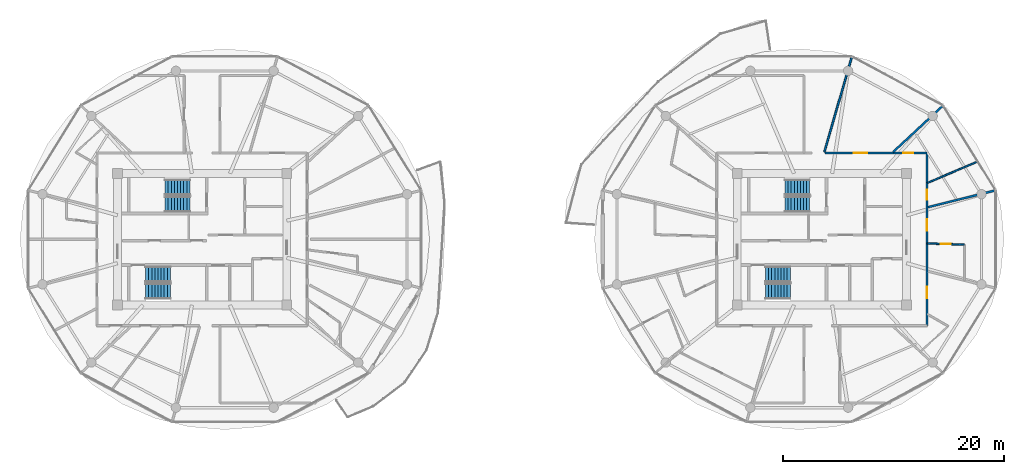
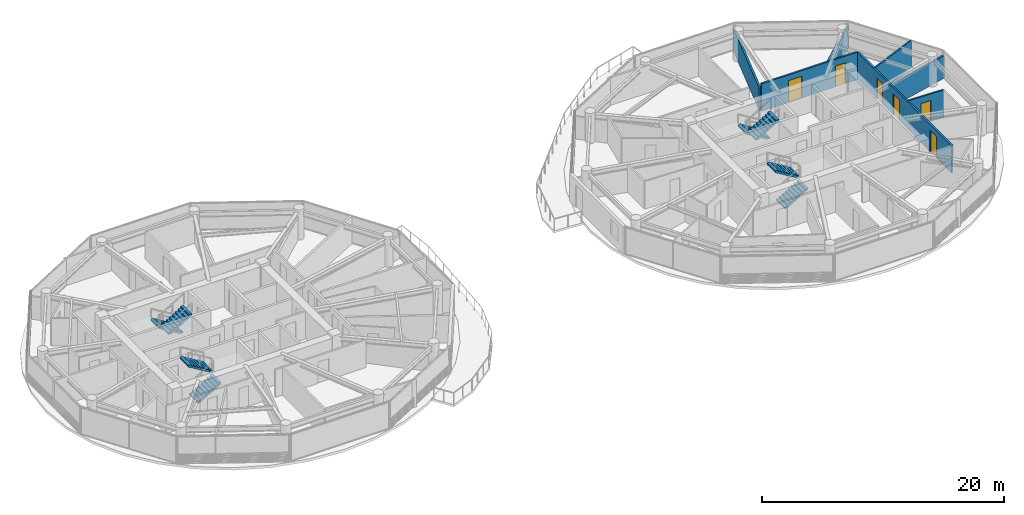
# One storey, part 18 of 22: 8 stair flights, 7 walls, 6 doors, 6 openings, 4 elements without a shape of their own.
"""IFC4 building model written with IfcOpenShell, lengths in metres."""

from ifc_helpers import new_model, si_unit, direction, frame, frame_2d, origin, place, context, subcontext, project, spatial, polyline, rectangle, outline, extrude, source, transform, mapped, material, layer, layer_set, type_object, type_shapes, element, fill, aggregate, save


model = new_model("IFC4")

# Units and contexts
model_context = context("Model", 3, precision=1e-05, world=origin(), true_north=direction((0.0, 1.0)))
body_context = subcontext(model_context, "Body", "Model", "MODEL_VIEW")
ifc_project = project(units=[si_unit("LENGTHUNIT", "METRE"), si_unit("AREAUNIT", "SQUARE_METRE"), si_unit("VOLUMEUNIT", "CUBIC_METRE"), si_unit("PLANEANGLEUNIT", "RADIAN"), si_unit("MASSUNIT", "GRAM", prefix="KILO")], contexts=[model_context])

# Site, building, storey
site_placement = place(None, origin())
site = spatial("IfcSite", under=ifc_project, at=site_placement, CompositionType="ELEMENT")
building_placement = place(site_placement, origin())
building = spatial("IfcBuilding", under=site, at=building_placement, Name="Norrkilde Senior Care Towers", CompositionType="ELEMENT")
storey_placement = place(building_placement, frame((0.0, 0.0, 120.64990234375)))
storey = spatial("IfcBuildingStorey", under=building, at=storey_placement, Name="L37", CompositionType="ELEMENT", Elevation=120.64990234375)

# Wall, openings, doors
ifc_material_1 = material(Name="Gypsum Acoustic Board")
ifc_layer_1 = layer(ifc_material_1, 0.1650390625)
ifc_layer_set_1 = layer_set([ifc_layer_1], Name="Gypsum Acoustic Board")
wall_type_1 = type_object("IfcWallType", Name="Corridor Rated Partition 165", PredefinedType="PARTITIONING", material=ifc_layer_set_1)
shared_shape_1 = source(origin(), body_context, "Body", "SweptSolid", [
    extrude(rectangle(XDim=15.60009765625, YDim=0.1650390625, at=frame_2d((7.800048828125, 0.0))), origin(), (0.0, 0.0, 1.0), 2.775146484375),
])
wall_1_placement = place(storey_placement, frame((37.5, 7.800048828125, 0.0), z_axis=(0.0, 0.0, 1.0), x_axis=(0.0, -1.0, 0.0)))
wall_1 = element("IfcWall", 1, at=wall_1_placement, inside=storey, type_object=wall_type_1, Name="WL-INT-L37-E-CRW-E-0", PredefinedType="PARTITIONING", context=body_context, shape_type="MappedRepresentation", body=[
    mapped(shared_shape_1, transform((0.0, 0.0, 0.0), x_axis=(1.0, 0.0, 0.0), y_axis=(0.0, 1.0, 0.0), z_axis=(0.0, 0.0, 1.0), scale=1.0)),
])
opening_1_placement = place(wall_1_placement, frame((12.09423828125, 0.0, 0.0)))
opening_1 = element("IfcOpeningElement", 2, at=opening_1_placement, cuts=wall_1, Name="Opening D-06", PredefinedType="OPENING", context=body_context, shape_type="SweptSolid", body=[
    extrude(rectangle(XDim=1.050048828125, YDim=2.14990234375, at=frame_2d((0.52490234375, 1.074951171875))), frame((0.0, 0.092529296875, 0.0), z_axis=(0.0, -1.0, 0.0), x_axis=(1.0, 0.0, 0.0)), (0.0, 0.0, 1.0), 0.18505859375),
])
opening_2_placement = place(wall_1_placement, frame((5.971435546875, 0.0, 0.0)))
opening_2 = element("IfcOpeningElement", 3, at=opening_2_placement, cuts=wall_1, Name="Opening D-06", PredefinedType="OPENING", context=body_context, shape_type="SweptSolid", body=[
    extrude(rectangle(XDim=1.050048828125, YDim=2.14990234375, at=frame_2d((0.52490234375, 1.074951171875))), frame((0.0, 0.092529296875, 0.0), z_axis=(0.0, -1.0, 0.0), x_axis=(1.0, 0.0, 0.0)), (0.0, 0.0, 1.0), 0.18505859375),
])
opening_3_placement = place(wall_1_placement, frame((3.32373046875, 0.0, 0.0)))
opening_3 = element("IfcOpeningElement", 4, at=opening_3_placement, cuts=wall_1, Name="Opening D-08", PredefinedType="OPENING", context=body_context, shape_type="SweptSolid", body=[
    extrude(rectangle(XDim=0.919921875, YDim=2.10009765625, at=frame_2d((0.4599609375, 1.050048828125))), frame((0.0, 0.092529296875, 0.0), z_axis=(0.0, -1.0, 0.0), x_axis=(1.0, 0.0, 0.0)), (0.0, 0.0, 1.0), 0.18505859375),
])
ifc_material_2 = material(Name="Nordic Ash Timber", Category="wood")
door_type_1 = type_object("IfcDoorType", Name="Accessible Wet Room Door 920x2100", OperationType="NOTDEFINED", PredefinedType="DOOR", material=ifc_material_2)
shared_shape_2 = source(origin(), body_context, "Body", "SweptSolid", [
    extrude(rectangle(XDim=0.919921875, YDim=2.10009765625, at=frame_2d((0.4599609375, 1.050048828125))), frame((0.0, 0.02490234375, 0.0), z_axis=(0.0, -1.0, 0.0), x_axis=(1.0, 0.0, 0.0)), (0.0, 0.0, 1.0), 0.050048828125),
])
type_shapes(door_type_1, [shared_shape_2])
door_1_placement = place(opening_3_placement, frame((0.919921875, 0.0, 0.0), z_axis=(0.0, 0.0, 1.0), x_axis=(-1.0, 0.0, 0.0)))
door_1 = element("IfcDoor", 5, at=door_1_placement, inside=storey, type_object=door_type_1, Name="L37 Accessible Restroom Door", OperationType="SINGLE_SWING_LEFT", OverallHeight=2.10009765625, OverallWidth=0.919921875, PredefinedType="DOOR", context=body_context, shape_type="MappedRepresentation", body=[
    mapped(shared_shape_2, transform((0.0, 0.0, 0.0), x_axis=(1.0, 0.0, 0.0), y_axis=(0.0, 1.0, 0.0), z_axis=(0.0, 0.0, 1.0), scale=1.0)),
])
fill(opening_3, door_1)
door_type_2 = type_object("IfcDoorType", Name="Apartment Entrance Fire Door 1050x2150", OperationType="NOTDEFINED", PredefinedType="DOOR", material=ifc_material_2)
shared_shape_3 = source(origin(), body_context, "Body", "SweptSolid", [
    extrude(rectangle(XDim=1.050048828125, YDim=2.14990234375, at=frame_2d((0.52490234375, 1.074951171875))), frame((0.0, 0.02490234375, 0.0), z_axis=(0.0, -1.0, 0.0), x_axis=(1.0, 0.0, 0.0)), (0.0, 0.0, 1.0), 0.050048828125),
])
type_shapes(door_type_2, [shared_shape_3])
door_2_placement = place(opening_1_placement, frame((1.050048828125, 0.0, 0.0), z_axis=(0.0, 0.0, 1.0), x_axis=(-1.0, 0.0, 0.0)))
door_2 = element("IfcDoor", 6, at=door_2_placement, inside=storey, type_object=door_type_2, Name="L37 Studio 37D Entrance Door", OperationType="SINGLE_SWING_RIGHT", OverallHeight=2.14990234375, OverallWidth=1.050048828125, PredefinedType="DOOR", context=body_context, shape_type="MappedRepresentation", body=[
    mapped(shared_shape_3, transform((0.0, 0.0, 0.0), x_axis=(1.0, 0.0, 0.0), y_axis=(0.0, 1.0, 0.0), z_axis=(0.0, 0.0, 1.0), scale=1.0)),
])
fill(opening_1, door_2)
door_3_placement = place(opening_2_placement, frame((1.050048828125, 0.0, 0.0), z_axis=(0.0, 0.0, 1.0), x_axis=(-1.0, 0.0, 0.0)))
door_3 = element("IfcDoor", 7, at=door_3_placement, inside=storey, type_object=door_type_2, Name="L37 Studio 37E Entrance Door", OperationType="SINGLE_SWING_LEFT", OverallHeight=2.14990234375, OverallWidth=1.050048828125, PredefinedType="DOOR", context=body_context, shape_type="MappedRepresentation", body=[
    mapped(shared_shape_3, transform((0.0, 0.0, 0.0), x_axis=(1.0, 0.0, 0.0), y_axis=(0.0, 1.0, 0.0), z_axis=(0.0, 0.0, 1.0), scale=1.0)),
])
fill(opening_2, door_3)

# Walls
ifc_layer_2 = layer(ifc_material_1, 0.18994140625)
ifc_layer_set_2 = layer_set([ifc_layer_2], Name="Gypsum Acoustic Board")
wall_type_2 = type_object("IfcWallType", Name="Unit Demising Acoustic Wall 190", PredefinedType="PARTITIONING", material=ifc_layer_set_2)
shared_shape_4 = source(origin(), body_context, "Body", "SweptSolid", [
    extrude(rectangle(XDim=6.186767578125, YDim=0.18994140625, at=frame_2d((3.09326171875, 0.0))), origin(), (0.0, 0.0, 1.0), 2.275146484375),
])
wall_2_placement = place(storey_placement, frame((34.428955078125, 7.8798828125, 0.0), z_axis=(0.0, 0.0, 1.0), x_axis=(0.732501077882, 0.680765870841, 0.0)))
element("IfcWall", 8, at=wall_2_placement, inside=storey, type_object=wall_type_2, Name="WL-INT-L37-E-DEM-01-0", PredefinedType="PARTITIONING", context=body_context, shape_type="MappedRepresentation", body=[
    mapped(shared_shape_4, transform((0.0, 0.0, 0.0), x_axis=(1.0, 0.0, 0.0), y_axis=(0.0, 1.0, 0.0), z_axis=(0.0, 0.0, 1.0), scale=1.0)),
])
shared_shape_5 = source(origin(), body_context, "Body", "SweptSolid", [
    extrude(rectangle(XDim=6.33056640625, YDim=0.18994140625, at=frame_2d((3.165283203125, 0.0))), origin(), (0.0, 0.0, 1.0), 2.275146484375),
])
type_shapes(wall_type_2, [shared_shape_4, shared_shape_5])
wall_3_placement = place(storey_placement, frame((37.580078125, 2.89599609375, 0.0), z_axis=(0.0, 0.0, 1.0), x_axis=(0.97036440661, 0.241646267062, 0.0)))
element("IfcWall", 9, at=wall_3_placement, inside=storey, type_object=wall_type_2, Name="WL-INT-L37-E-DEM-00-0", PredefinedType="PARTITIONING", context=body_context, shape_type="MappedRepresentation", body=[
    mapped(shared_shape_5, transform((0.0, 0.0, 0.0), x_axis=(1.0, 0.0, 0.0), y_axis=(0.0, 1.0, 0.0), z_axis=(0.0, 0.0, 1.0), scale=1.0)),
])

# Wall, openings, doors
shared_shape_6 = source(origin(), body_context, "Body", "SweptSolid", [
    extrude(rectangle(XDim=9.234130859375, YDim=0.1650390625, at=frame_2d((4.6171875, 0.0))), origin(), (0.0, 0.0, 1.0), 2.775146484375),
])
wall_4_placement = place(storey_placement, frame((28.265869140625, 7.800048828125, 0.0), z_axis=(0.0, 0.0, 1.0), x_axis=(1.0, 0.0, 0.0)))
wall_4 = element("IfcWall", 10, at=wall_4_placement, inside=storey, type_object=wall_type_1, Name="WL-INT-L37-E-CRW-N-1", PredefinedType="PARTITIONING", context=body_context, shape_type="MappedRepresentation", body=[
    mapped(shared_shape_6, transform((0.0, 0.0, 0.0), x_axis=(1.0, 0.0, 0.0), y_axis=(0.0, 1.0, 0.0), z_axis=(0.0, 0.0, 1.0), scale=1.0)),
])
opening_4_placement = place(wall_4_placement, frame((7.073974609375, 0.0, 0.0)))
opening_4 = element("IfcOpeningElement", 11, at=opening_4_placement, cuts=wall_4, Name="Opening D-08", PredefinedType="OPENING", context=body_context, shape_type="SweptSolid", body=[
    extrude(rectangle(XDim=0.919921875, YDim=2.10009765625, at=frame_2d((0.4599609375, 1.050048828125))), frame((0.0, 0.092529296875, 0.0), z_axis=(0.0, -1.0, 0.0), x_axis=(1.0, 0.0, 0.0)), (0.0, 0.0, 1.0), 0.18505859375),
])
opening_5_placement = place(wall_4_placement, frame((2.588134765625, 0.0, 0.0)))
opening_5 = element("IfcOpeningElement", 12, at=opening_5_placement, cuts=wall_4, Name="Opening D-05", PredefinedType="OPENING", context=body_context, shape_type="SweptSolid", body=[
    extrude(rectangle(XDim=1.25, YDim=2.199951171875, at=frame_2d((0.625, 1.10009765625))), frame((0.0, 0.092529296875, 0.0), z_axis=(0.0, -1.0, 0.0), x_axis=(1.0, 0.0, 0.0)), (0.0, 0.0, 1.0), 0.18505859375),
])
door_type_3 = type_object("IfcDoorType", Name="Care Bedroom Bariatric Door 1250x2200", OperationType="NOTDEFINED", PredefinedType="DOOR", material=ifc_material_2)
shared_shape_7 = source(origin(), body_context, "Body", "SweptSolid", [
    extrude(rectangle(XDim=1.25, YDim=2.199951171875, at=frame_2d((0.625, 1.10009765625))), frame((0.0, 0.02490234375, 0.0), z_axis=(0.0, -1.0, 0.0), x_axis=(1.0, 0.0, 0.0)), (0.0, 0.0, 1.0), 0.050048828125),
])
type_shapes(door_type_3, [shared_shape_7])
door_4_placement = place(opening_5_placement, frame((1.25, 0.0, 0.0), z_axis=(0.0, 0.0, 1.0), x_axis=(-1.0, 0.0, 0.0)))
door_4 = element("IfcDoor", 13, at=door_4_placement, inside=storey, type_object=door_type_3, Name="L37 Senior Wellness Library Lounge Door", OperationType="SINGLE_SWING_RIGHT", OverallHeight=2.199951171875, OverallWidth=1.25, PredefinedType="DOOR", context=body_context, shape_type="MappedRepresentation", body=[
    mapped(shared_shape_7, transform((0.0, 0.0, 0.0), x_axis=(1.0, 0.0, 0.0), y_axis=(0.0, 1.0, 0.0), z_axis=(0.0, 0.0, 1.0), scale=1.0)),
])
fill(opening_5, door_4)
door_5_placement = place(opening_4_placement, frame((0.919921875, 0.0, 0.0), z_axis=(0.0, 0.0, 1.0), x_axis=(-1.0, 0.0, 0.0)))
door_5 = element("IfcDoor", 14, at=door_5_placement, inside=storey, type_object=door_type_1, Name="L37 Public Restroom Door", OperationType="SINGLE_SWING_RIGHT", OverallHeight=2.10009765625, OverallWidth=0.919921875, PredefinedType="DOOR", context=body_context, shape_type="MappedRepresentation", body=[
    mapped(shared_shape_2, transform((0.0, 0.0, 0.0), x_axis=(1.0, 0.0, 0.0), y_axis=(0.0, 1.0, 0.0), z_axis=(0.0, 0.0, 1.0), scale=1.0)),
])
fill(opening_4, door_5)

# Wall
shared_shape_8 = source(origin(), body_context, "Body", "SweptSolid", [
    extrude(rectangle(XDim=8.9892578125, YDim=0.1650390625, at=frame_2d((4.49462890625, 0.0))), origin(), (0.0, 0.0, 1.0), 2.275146484375),
])
type_shapes(wall_type_1, [shared_shape_1, shared_shape_6, shared_shape_8])
wall_5_placement = place(storey_placement, frame((28.221923828125, 7.8798828125, 0.0), z_axis=(0.0, 0.0, 1.0), x_axis=(0.27702323008, 0.960863221274, 0.0)))
element("IfcWall", 15, at=wall_5_placement, inside=storey, type_object=wall_type_1, Name="WL-INT-L37-E-DEM-02-0", PredefinedType="PARTITIONING", context=body_context, shape_type="MappedRepresentation", body=[
    mapped(shared_shape_8, transform((0.0, 0.0, 0.0), x_axis=(1.0, 0.0, 0.0), y_axis=(0.0, 1.0, 0.0), z_axis=(0.0, 0.0, 1.0), scale=1.0)),
])

# Wall, opening, door
ifc_layer_3 = layer(ifc_material_1, 0.139892578125)
ifc_layer_set_3 = layer_set([ifc_layer_3], Name="Gypsum Acoustic Board")
wall_type_3 = type_object("IfcWallType", Name="En-suite Wet Room Wall 140", PredefinedType="PARTITIONING", material=ifc_layer_set_3)
shared_shape_9 = source(origin(), body_context, "Body", "SweptSolid", [
    extrude(rectangle(XDim=3.341552734375, YDim=0.139892578125, at=frame_2d((1.6708984375, 0.0))), origin(), (0.0, 0.0, 1.0), 2.775146484375),
])
wall_6_placement = place(storey_placement, frame((37.530029296875, -0.3779296875, 0.0), z_axis=(0.0, 0.0, 1.0), x_axis=(0.999468967034, -0.032585026264, 0.0)))
wall_6 = element("IfcWall", 16, at=wall_6_placement, inside=storey, type_object=wall_type_3, Name="WL-INT-L37-E-ES-11", PredefinedType="PARTITIONING", context=body_context, shape_type="MappedRepresentation", body=[
    mapped(shared_shape_9, transform((0.0, 0.0, 0.0), x_axis=(1.0, 0.0, 0.0), y_axis=(0.0, 1.0, 0.0), z_axis=(0.0, 0.0, 1.0), scale=1.0)),
])
opening_6_placement = place(wall_6_placement, frame((1.2109375, 0.0, 0.0)))
opening_6 = element("IfcOpeningElement", 17, at=opening_6_placement, cuts=wall_6, Name="Opening D-08", PredefinedType="OPENING", context=body_context, shape_type="SweptSolid", body=[
    extrude(rectangle(XDim=0.919921875, YDim=2.10009765625, at=frame_2d((0.4599609375, 1.050048828125))), frame((0.0, 0.079833984375, 0.0), z_axis=(0.0, -1.0, 0.0), x_axis=(1.0, 0.0, 0.0)), (0.0, 0.0, 1.0), 0.159912109375),
])
door_6_placement = place(opening_6_placement, origin())
door_6 = element("IfcDoor", 18, at=door_6_placement, inside=storey, type_object=door_type_1, Name="L37 Studio 37E Bathroom Door", OperationType="SINGLE_SWING_RIGHT", OverallHeight=2.10009765625, OverallWidth=0.919921875, PredefinedType="DOOR", context=body_context, shape_type="MappedRepresentation", body=[
    mapped(shared_shape_2, transform((0.0, 0.0, 0.0), x_axis=(1.0, 0.0, 0.0), y_axis=(0.0, 1.0, 0.0), z_axis=(0.0, 0.0, 1.0), scale=1.0)),
])
fill(opening_6, door_6)

# Wall
shared_shape_10 = source(origin(), body_context, "Body", "SweptSolid", [
    extrude(rectangle(XDim=4.96826171875, YDim=0.139892578125, at=frame_2d((2.484130859375, 0.0))), origin(), (0.0, 0.0, 1.0), 2.775146484375),
])
type_shapes(wall_type_3, [shared_shape_9, shared_shape_10])
wall_7_placement = place(storey_placement, frame((37.530029296875, 5.092041015625, 0.0), z_axis=(0.0, 0.0, 1.0), x_axis=(0.920595165864, 0.39051829738, 0.0)))
element("IfcWall", 19, at=wall_7_placement, inside=storey, type_object=wall_type_3, Name="WL-INT-L37-E-MID-00", PredefinedType="PARTITIONING", context=body_context, shape_type="MappedRepresentation", body=[
    mapped(shared_shape_10, transform((0.0, 0.0, 0.0), x_axis=(1.0, 0.0, 0.0), y_axis=(0.0, 1.0, 0.0), z_axis=(0.0, 0.0, 1.0), scale=1.0)),
])

# Stair, stair flights
ifc_material_3 = material(Name="Concrete C45/55", Category="concrete")
stair_type = type_object("IfcStairType", Name="Core Protected Dogleg Stair Typical 3050", PredefinedType="HALF_TURN_STAIR", material=ifc_material_3)
stair_1_placement = place(storey_placement, origin())
stair_1 = element("IfcStair", 20, at=stair_1_placement, inside=storey, type_object=stair_type, Name="L37 Protected Core Stair W1", PredefinedType="HALF_TURN_STAIR")
stair_flight_type = type_object("IfcStairFlightType", Name="Core Protected Dogleg Stair Typical 3050 Flight", PredefinedType="STRAIGHT", material=ifc_material_3)
stair_flight_1_placement = place(storey_placement, frame((-29.10009765625, 4.699951171875, 0.0), z_axis=(0.0, 0.0, 1.0), x_axis=(-1.0, 0.0, 0.0)))
stair_flight_1 = element("IfcStairFlight", 21, at=stair_flight_1_placement, type_object=stair_flight_type, Name="ST-W1 flight 1", NumberOfRisers=9, NumberOfTreads=8, PredefinedType="STRAIGHT", RiserHeight=0.169444444, TreadLength=0.28, context=body_context, shape_type="SweptSolid", body=[
    extrude(outline(polyline([(0.0, 0.0), (0.0, 0.16943359375), (0.280029296875, 0.16943359375), (0.280029296875, 0.3388671875), (0.56005859375, 0.3388671875), (0.56005859375, 0.50830078125), (0.840087890625, 0.50830078125), (0.840087890625, 0.677734375), (1.1201171875, 0.677734375), (1.1201171875, 0.84716796875), (1.39990234375, 0.84716796875), (1.39990234375, 1.0166015625), (1.679931640625, 1.0166015625), (1.679931640625, 1.18603515625), (1.9599609375, 1.18603515625), (1.9599609375, 1.35546875), (2.239990234375, 1.35546875), (2.239990234375, 1.52490234375), (2.239990234375, 1.180419921875), (0.28955078125, 0.0), (0.0, 0.0)])), frame((0.0, 0.699951171875, 0.0), z_axis=(0.0, -1.0, 0.0), x_axis=(1.0, 0.0, 0.0)), (0.0, 0.0, 1.0), 1.39990234375),
])
stair_flight_2_placement = place(storey_placement, frame((-31.340087890625, 3.14990234375, 1.525146484375), z_axis=(0.0, 0.0, 1.0), x_axis=(1.0, 0.0, 0.0)))
stair_flight_2 = element("IfcStairFlight", 22, at=stair_flight_2_placement, type_object=stair_flight_type, Name="ST-W1 flight 2", NumberOfRisers=9, NumberOfTreads=8, PredefinedType="STRAIGHT", RiserHeight=0.169444444, TreadLength=0.28, context=body_context, shape_type="SweptSolid", body=[
    extrude(outline(polyline([(0.0, 0.0), (0.0, 0.16943359375), (0.280029296875, 0.16943359375), (0.280029296875, 0.3388671875), (0.56005859375, 0.3388671875), (0.56005859375, 0.50830078125), (0.840087890625, 0.50830078125), (0.840087890625, 0.677734375), (1.1201171875, 0.677734375), (1.1201171875, 0.84716796875), (1.39990234375, 0.84716796875), (1.39990234375, 1.0166015625), (1.679931640625, 1.0166015625), (1.679931640625, 1.18603515625), (1.9599609375, 1.18603515625), (1.9599609375, 1.35546875), (2.239990234375, 1.35546875), (2.239990234375, 1.52490234375), (2.239990234375, 1.180419921875), (0.28955078125, 0.0), (0.0, 0.0)])), frame((0.0, 0.699951171875, 0.0), z_axis=(0.0, -1.0, 0.0), x_axis=(1.0, 0.0, 0.0)), (0.0, 0.0, 1.0), 1.39990234375),
])
aggregate(stair_1, [stair_flight_1, stair_flight_2])

stair_2_placement = place(storey_placement, origin())
stair_2 = element("IfcStair", 23, at=stair_2_placement, inside=storey, type_object=stair_type, Name="L37 Protected Core Stair W2", PredefinedType="HALF_TURN_STAIR")
stair_flight_3_placement = place(storey_placement, frame((-33.10009765625, -4.699951171875, 0.0), z_axis=(0.0, 0.0, 1.0), x_axis=(1.0, 0.0, 0.0)))
stair_flight_3 = element("IfcStairFlight", 24, at=stair_flight_3_placement, type_object=stair_flight_type, Name="ST-W2 flight 1", NumberOfRisers=9, NumberOfTreads=8, PredefinedType="STRAIGHT", RiserHeight=0.169444444, TreadLength=0.28, context=body_context, shape_type="SweptSolid", body=[
    extrude(outline(polyline([(0.0, 0.0), (0.0, 0.16943359375), (0.280029296875, 0.16943359375), (0.280029296875, 0.3388671875), (0.56005859375, 0.3388671875), (0.56005859375, 0.50830078125), (0.840087890625, 0.50830078125), (0.840087890625, 0.677734375), (1.1201171875, 0.677734375), (1.1201171875, 0.84716796875), (1.39990234375, 0.84716796875), (1.39990234375, 1.0166015625), (1.679931640625, 1.0166015625), (1.679931640625, 1.18603515625), (1.9599609375, 1.18603515625), (1.9599609375, 1.35546875), (2.239990234375, 1.35546875), (2.239990234375, 1.52490234375), (2.239990234375, 1.180419921875), (0.28955078125, 0.0), (0.0, 0.0)])), frame((0.0, 0.699951171875, 0.0), z_axis=(0.0, -1.0, 0.0), x_axis=(1.0, 0.0, 0.0)), (0.0, 0.0, 1.0), 1.39990234375),
])
stair_flight_4_placement = place(storey_placement, frame((-30.860107421875, -3.14990234375, 1.525146484375), z_axis=(0.0, 0.0, 1.0), x_axis=(-1.0, 0.0, 0.0)))
stair_flight_4 = element("IfcStairFlight", 25, at=stair_flight_4_placement, type_object=stair_flight_type, Name="ST-W2 flight 2", NumberOfRisers=9, NumberOfTreads=8, PredefinedType="STRAIGHT", RiserHeight=0.169444444, TreadLength=0.28, context=body_context, shape_type="SweptSolid", body=[
    extrude(outline(polyline([(0.0, 0.0), (0.0, 0.16943359375), (0.280029296875, 0.16943359375), (0.280029296875, 0.3388671875), (0.56005859375, 0.3388671875), (0.56005859375, 0.50830078125), (0.840087890625, 0.50830078125), (0.840087890625, 0.677734375), (1.1201171875, 0.677734375), (1.1201171875, 0.84716796875), (1.39990234375, 0.84716796875), (1.39990234375, 1.0166015625), (1.679931640625, 1.0166015625), (1.679931640625, 1.18603515625), (1.9599609375, 1.18603515625), (1.9599609375, 1.35546875), (2.239990234375, 1.35546875), (2.239990234375, 1.52490234375), (2.239990234375, 1.180419921875), (0.28955078125, 0.0), (0.0, 0.0)])), frame((0.0, 0.699951171875, 0.0), z_axis=(0.0, -1.0, 0.0), x_axis=(1.0, 0.0, 0.0)), (0.0, 0.0, 1.0), 1.39990234375),
])
aggregate(stair_2, [stair_flight_3, stair_flight_4])

stair_3_placement = place(storey_placement, origin())
stair_3 = element("IfcStair", 26, at=stair_3_placement, inside=storey, type_object=stair_type, Name="L37 Protected Core Stair E1", PredefinedType="HALF_TURN_STAIR")
stair_flight_5_placement = place(storey_placement, frame((26.89990234375, 4.699951171875, 0.0), z_axis=(0.0, 0.0, 1.0), x_axis=(-1.0, 0.0, 0.0)))
stair_flight_5 = element("IfcStairFlight", 27, at=stair_flight_5_placement, type_object=stair_flight_type, Name="ST-E1 flight 1", NumberOfRisers=9, NumberOfTreads=8, PredefinedType="STRAIGHT", RiserHeight=0.169444444, TreadLength=0.28, context=body_context, shape_type="SweptSolid", body=[
    extrude(outline(polyline([(0.0, 0.0), (0.0, 0.16943359375), (0.280029296875, 0.16943359375), (0.280029296875, 0.3388671875), (0.56005859375, 0.3388671875), (0.56005859375, 0.50830078125), (0.840087890625, 0.50830078125), (0.840087890625, 0.677734375), (1.1201171875, 0.677734375), (1.1201171875, 0.84716796875), (1.39990234375, 0.84716796875), (1.39990234375, 1.0166015625), (1.679931640625, 1.0166015625), (1.679931640625, 1.18603515625), (1.9599609375, 1.18603515625), (1.9599609375, 1.35546875), (2.239990234375, 1.35546875), (2.239990234375, 1.52490234375), (2.239990234375, 1.180419921875), (0.28955078125, 0.0), (0.0, 0.0)])), frame((0.0, 0.699951171875, 0.0), z_axis=(0.0, -1.0, 0.0), x_axis=(1.0, 0.0, 0.0)), (0.0, 0.0, 1.0), 1.39990234375),
])
stair_flight_6_placement = place(storey_placement, frame((24.659912109375, 3.14990234375, 1.525146484375), z_axis=(0.0, 0.0, 1.0), x_axis=(1.0, 0.0, 0.0)))
stair_flight_6 = element("IfcStairFlight", 28, at=stair_flight_6_placement, type_object=stair_flight_type, Name="ST-E1 flight 2", NumberOfRisers=9, NumberOfTreads=8, PredefinedType="STRAIGHT", RiserHeight=0.169444444, TreadLength=0.28, context=body_context, shape_type="SweptSolid", body=[
    extrude(outline(polyline([(0.0, 0.0), (0.0, 0.16943359375), (0.280029296875, 0.16943359375), (0.280029296875, 0.3388671875), (0.56005859375, 0.3388671875), (0.56005859375, 0.50830078125), (0.840087890625, 0.50830078125), (0.840087890625, 0.677734375), (1.1201171875, 0.677734375), (1.1201171875, 0.84716796875), (1.39990234375, 0.84716796875), (1.39990234375, 1.0166015625), (1.679931640625, 1.0166015625), (1.679931640625, 1.18603515625), (1.9599609375, 1.18603515625), (1.9599609375, 1.35546875), (2.239990234375, 1.35546875), (2.239990234375, 1.52490234375), (2.239990234375, 1.180419921875), (0.28955078125, 0.0), (0.0, 0.0)])), frame((0.0, 0.699951171875, 0.0), z_axis=(0.0, -1.0, 0.0), x_axis=(1.0, 0.0, 0.0)), (0.0, 0.0, 1.0), 1.39990234375),
])
aggregate(stair_3, [stair_flight_5, stair_flight_6])

stair_4_placement = place(storey_placement, origin())
stair_4 = element("IfcStair", 29, at=stair_4_placement, inside=storey, type_object=stair_type, Name="L37 Protected Core Stair E2", PredefinedType="HALF_TURN_STAIR")
stair_flight_7_placement = place(storey_placement, frame((22.89990234375, -4.699951171875, 0.0), z_axis=(0.0, 0.0, 1.0), x_axis=(1.0, 0.0, 0.0)))
stair_flight_7 = element("IfcStairFlight", 30, at=stair_flight_7_placement, type_object=stair_flight_type, Name="ST-E2 flight 1", NumberOfRisers=9, NumberOfTreads=8, PredefinedType="STRAIGHT", RiserHeight=0.169444444, TreadLength=0.28, context=body_context, shape_type="SweptSolid", body=[
    extrude(outline(polyline([(0.0, 0.0), (0.0, 0.16943359375), (0.280029296875, 0.16943359375), (0.280029296875, 0.3388671875), (0.56005859375, 0.3388671875), (0.56005859375, 0.50830078125), (0.840087890625, 0.50830078125), (0.840087890625, 0.677734375), (1.1201171875, 0.677734375), (1.1201171875, 0.84716796875), (1.39990234375, 0.84716796875), (1.39990234375, 1.0166015625), (1.679931640625, 1.0166015625), (1.679931640625, 1.18603515625), (1.9599609375, 1.18603515625), (1.9599609375, 1.35546875), (2.239990234375, 1.35546875), (2.239990234375, 1.52490234375), (2.239990234375, 1.180419921875), (0.28955078125, 0.0), (0.0, 0.0)])), frame((0.0, 0.699951171875, 0.0), z_axis=(0.0, -1.0, 0.0), x_axis=(1.0, 0.0, 0.0)), (0.0, 0.0, 1.0), 1.39990234375),
])
stair_flight_8_placement = place(storey_placement, frame((25.139892578125, -3.14990234375, 1.525146484375), z_axis=(0.0, 0.0, 1.0), x_axis=(-1.0, 0.0, 0.0)))
stair_flight_8 = element("IfcStairFlight", 31, at=stair_flight_8_placement, type_object=stair_flight_type, Name="ST-E2 flight 2", NumberOfRisers=9, NumberOfTreads=8, PredefinedType="STRAIGHT", RiserHeight=0.169444444, TreadLength=0.28, context=body_context, shape_type="SweptSolid", body=[
    extrude(outline(polyline([(0.0, 0.0), (0.0, 0.16943359375), (0.280029296875, 0.16943359375), (0.280029296875, 0.3388671875), (0.56005859375, 0.3388671875), (0.56005859375, 0.50830078125), (0.840087890625, 0.50830078125), (0.840087890625, 0.677734375), (1.1201171875, 0.677734375), (1.1201171875, 0.84716796875), (1.39990234375, 0.84716796875), (1.39990234375, 1.0166015625), (1.679931640625, 1.0166015625), (1.679931640625, 1.18603515625), (1.9599609375, 1.18603515625), (1.9599609375, 1.35546875), (2.239990234375, 1.35546875), (2.239990234375, 1.52490234375), (2.239990234375, 1.180419921875), (0.28955078125, 0.0), (0.0, 0.0)])), frame((0.0, 0.699951171875, 0.0), z_axis=(0.0, -1.0, 0.0), x_axis=(1.0, 0.0, 0.0)), (0.0, 0.0, 1.0), 1.39990234375),
])
aggregate(stair_4, [stair_flight_7, stair_flight_8])

save(model, "model.ifc")
